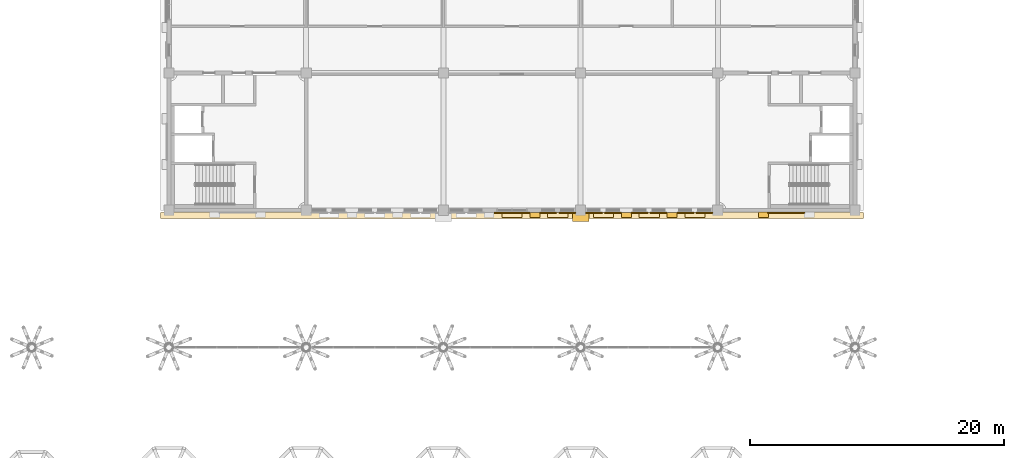
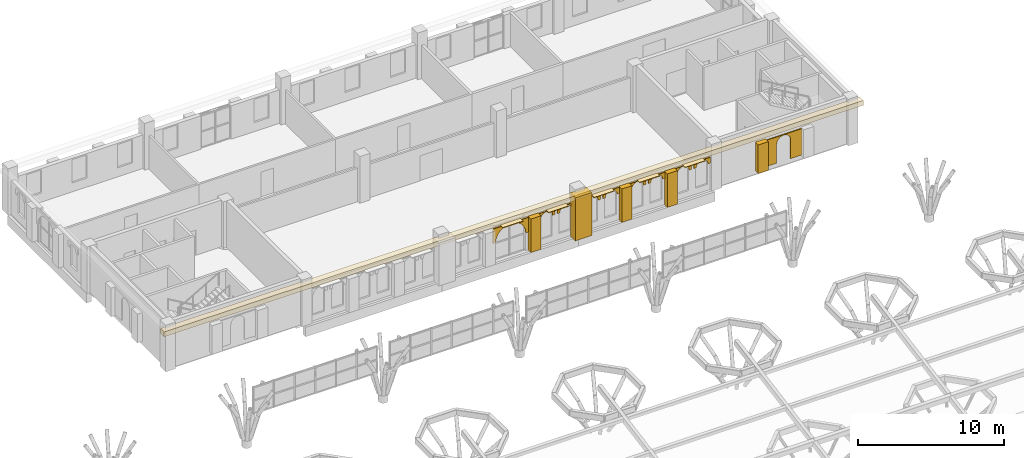
# One storey, part 40 of 42: 21 coverings.
"""IFC4 building model written with IfcOpenShell, lengths in metres."""

from ifc_helpers import new_model, si_unit, direction, frame, origin, origin_2d, place, context, subcontext, project, spatial, polyline, rectangle, outline, extrude, material, layer, layer_set, type_object, element, save


model = new_model("IFC4")

# Units and contexts
model_context = context("Model", 3, precision=1e-05, world=origin(), true_north=direction((0.0, 1.0)))
body_context = subcontext(model_context, "Body", "Model", "MODEL_VIEW")
ifc_project = project(units=[si_unit("LENGTHUNIT", "METRE"), si_unit("AREAUNIT", "SQUARE_METRE"), si_unit("VOLUMEUNIT", "CUBIC_METRE"), si_unit("PLANEANGLEUNIT", "RADIAN"), si_unit("MASSUNIT", "GRAM", prefix="KILO")], contexts=[model_context])

# Site, building, storey
site_placement = place(None, origin())
site = spatial("IfcSite", under=ifc_project, at=site_placement, CompositionType="ELEMENT")
building_placement = place(site_placement, origin())
building = spatial("IfcBuilding", under=site, at=building_placement, Name="Magnolia Steps Interchange", CompositionType="ELEMENT")
storey_placement = place(building_placement, frame((0.0, 0.0, 12.60009765625)))
storey = spatial("IfcBuildingStorey", under=building, at=storey_placement, Name="L03", CompositionType="ELEMENT", Elevation=12.60009765625)

# Coverings
ifc_material_1 = material(Name="Lime render")
ifc_layer_1 = layer(ifc_material_1, 0.080078125)
ifc_layer_set_1 = layer_set([ifc_layer_1], Name="Lime render arch infill")
covering_type_1 = type_object("IfcCoveringType", Name="Lime render arch infill", PredefinedType="CLADDING", material=ifc_layer_set_1)
covering_1_placement = place(storey_placement, frame((89.60009765625, 96.237548828125, 1.52978515625), z_axis=(0.0, 1.0, 0.0), x_axis=(0.0, 0.0, 1.0)))
element("IfcCovering", 1, at=covering_1_placement, inside=storey, type_object=covering_type_1, Name="Arched head over opening g2", PredefinedType="CLADDING", context=body_context, shape_type="SweptSolid", body=[
    extrude(outline(polyline([(0.0, 0.0), (1.220214844, 0.0), (1.220214844, 2.799804688), (0.0, 2.799804688), (0.0, 2.599853516), (0.267089844, 2.569824219), (0.520751953, 2.481201172), (0.748291016, 2.338134766), (0.938232422, 2.148193359), (1.081298828, 1.920654297), (1.169921875, 1.666992188), (1.200195312, 1.399902344), (1.169921875, 1.1328125), (1.081298828, 0.879150391), (0.938232422, 0.651611328), (0.748291016, 0.461669922), (0.520751953, 0.318603516), (0.267089844, 0.229980469), (0.0, 0.199951172), (0.0, 0.0)])), origin(), (0.0, 0.0, -1.0), 0.080078125),
])
for number, where, z_axis, x_axis, name in (
    (2, (93.199951171875, 96.237548828125, 2.2548828125), (0.0, 1.0, 0.0), (0.0, 0.0, 1.0), "Arched head over opening W00165"),
    (3, (94.699951171875, 96.237548828125, 2.2548828125), (0.0, 1.0, 0.0), (0.0, 0.0, 1.0), "Arched head over opening W00315"),
):
    element("IfcCovering", number, at=place(storey_placement, frame(where, z_axis=z_axis, x_axis=x_axis)), inside=storey, type_object=covering_type_1, Name=name, PredefinedType="CLADDING", context=body_context, shape_type="SweptSolid", body=[
        extrude(outline(polyline([(0.0, 0.0), (0.495117188, 0.0), (0.495117188, 1.300048828), (0.0, 1.300048828), (0.0, 1.125), (0.105712891, 1.113037109), (0.206054688, 1.078125), (0.296142578, 1.021484375), (0.371337891, 0.946289062), (0.427978516, 0.856201172), (0.463134766, 0.755859375), (0.475097656, 0.650146484), (0.463134766, 0.544433594), (0.427978516, 0.443847656), (0.371337891, 0.353759766), (0.296142578, 0.278564453), (0.206054688, 0.222167969), (0.105712891, 0.187011719), (0.0, 0.175048828), (0.0, 0.0)])), origin(), (0.0, 0.0, -1.0), 0.080078125),
    ])
for number, where, z_axis, x_axis, name in (
    (4, (96.800048828125, 96.237548828125, 2.2548828125), (0.0, 1.0, 0.0), (0.0, 0.0, 1.0), "Arched head over opening W00525"),
    (5, (98.300048828125, 96.237548828125, 2.2548828125), (0.0, 1.0, 0.0), (0.0, 0.0, 1.0), "Arched head over opening W00675"),
):
    element("IfcCovering", number, at=place(storey_placement, frame(where, z_axis=z_axis, x_axis=x_axis)), inside=storey, type_object=covering_type_1, Name=name, PredefinedType="CLADDING", context=body_context, shape_type="SweptSolid", body=[
        extrude(outline(polyline([(0.0, 0.0), (0.495117188, 0.0), (0.495117188, 1.300048828), (0.0, 1.300048828), (0.0, 1.125), (0.105712891, 1.113037109), (0.206054688, 1.077880859), (0.296142578, 1.021240234), (0.371337891, 0.946044922), (0.427978516, 0.855957031), (0.463134766, 0.755615234), (0.475097656, 0.649902344), (0.463134766, 0.544189453), (0.427978516, 0.443847656), (0.371337891, 0.353759766), (0.296142578, 0.278564453), (0.206054688, 0.221923828), (0.105712891, 0.186767578), (0.0, 0.175048828), (0.0, 0.0)])), origin(), (0.0, 0.0, -1.0), 0.080078125),
    ])
for number, where, z_axis, x_axis, name in (
    (6, (100.39990234375, 96.237548828125, 2.2548828125), (0.0, 1.0, 0.0), (0.0, 0.0, 1.0), "Arched head over opening W00885"),
    (7, (101.89990234375, 96.237548828125, 2.2548828125), (0.0, 1.0, 0.0), (0.0, 0.0, 1.0), "Arched head over opening W01035"),
):
    element("IfcCovering", number, at=place(storey_placement, frame(where, z_axis=z_axis, x_axis=x_axis)), inside=storey, type_object=covering_type_1, Name=name, PredefinedType="CLADDING", context=body_context, shape_type="SweptSolid", body=[
        extrude(outline(polyline([(0.0, 0.0), (0.495117188, 0.0), (0.495117188, 1.300048828), (0.0, 1.300048828), (0.0, 1.125), (0.105712891, 1.11328125), (0.206054688, 1.078125), (0.296142578, 1.021484375), (0.371337891, 0.946289062), (0.427978516, 0.856201172), (0.463134766, 0.755859375), (0.475097656, 0.650146484), (0.463134766, 0.544433594), (0.427978516, 0.444091797), (0.371337891, 0.354003906), (0.296142578, 0.278808594), (0.206054688, 0.222167969), (0.105712891, 0.187011719), (0.0, 0.175048828), (0.0, 0.0)])), origin(), (0.0, 0.0, -1.0), 0.080078125),
    ])
for number, where, z_axis, x_axis, name in (
    (8, (104.0, 96.237548828125, 2.2548828125), (0.0, 1.0, 0.0), (0.0, 0.0, 1.0), "Arched head over opening W01245"),
    (9, (105.5, 96.237548828125, 2.2548828125), (0.0, 1.0, 0.0), (0.0, 0.0, 1.0), "Arched head over opening W01395"),
):
    element("IfcCovering", number, at=place(storey_placement, frame(where, z_axis=z_axis, x_axis=x_axis)), inside=storey, type_object=covering_type_1, Name=name, PredefinedType="CLADDING", context=body_context, shape_type="SweptSolid", body=[
        extrude(outline(polyline([(0.0, 0.0), (0.495117188, 0.0), (0.495117188, 1.300048828), (0.0, 1.300048828), (0.0, 1.125), (0.105712891, 1.113037109), (0.206054688, 1.077880859), (0.296142578, 1.021484375), (0.371337891, 0.946289062), (0.427978516, 0.856201172), (0.463134766, 0.755615234), (0.475097656, 0.649902344), (0.463134766, 0.544189453), (0.427978516, 0.443847656), (0.371337891, 0.353759766), (0.296142578, 0.278564453), (0.206054688, 0.221923828), (0.105712891, 0.187011719), (0.0, 0.175048828), (0.0, 0.0)])), origin(), (0.0, 0.0, -1.0), 0.080078125),
    ])
covering_2_placement = place(storey_placement, frame((111.14990234375, 96.25, 0.39990234375), z_axis=(0.0, 1.0, 0.0), x_axis=(0.0, 0.0, 1.0)))
element("IfcCovering", 10, at=covering_2_placement, inside=storey, type_object=covering_type_1, Name="Arched niche OC-E L03 S", PredefinedType="CLADDING", context=body_context, shape_type="SweptSolid", body=[
    extrude(outline(polyline([(0.0, 0.0), (2.199951172, 0.0), (2.199951172, 2.900146484), (0.0, 2.900146484), (0.0, 2.0), (1.600097656, 2.0), (1.742431641, 1.981445312), (1.875, 1.926513672), (1.989013672, 1.839111328), (2.076416016, 1.725097656), (2.131347656, 1.592529297), (2.149902344, 1.450195312), (2.131347656, 1.307617188), (2.076416016, 1.175048828), (1.989013672, 1.061279297), (1.875, 0.973876953), (1.742431641, 0.918701172), (1.600097656, 0.900146484), (0.0, 0.900146484), (0.0, 0.0)])), origin(), (0.0, 0.0, -1.0), 0.080078125),
])
ifc_material_2 = material(Name="Lime render")
ifc_layer_2 = layer(ifc_material_2, 0.1201171875)
ifc_layer_set_2 = layer_set([ifc_layer_2], Name="Lime render band")
covering_type_2 = type_object("IfcCoveringType", Name="Lime render band", PredefinedType="CLADDING", material=ifc_layer_set_2)
covering_3_placement = place(storey_placement, frame((91.0, 95.987548828125, 3.199951171875), z_axis=(0.0, 0.0, 1.0), x_axis=(1.0, 0.0, 0.0)))
element("IfcCovering", 11, at=covering_3_placement, inside=storey, type_object=covering_type_2, Name="String course L03 S", PredefinedType="CLADDING", context=body_context, shape_type="SweptSolid", body=[
    extrude(rectangle(XDim=55.324951171875, YDim=0.5, at=origin_2d()), origin(), (0.0, 0.0, 1.0), 0.39990234375),
])
ifc_material_3 = material(Name="Lime render")
ifc_layer_3 = layer(ifc_material_3, 0.39990234375)
ifc_layer_set_3 = layer_set([ifc_layer_3], Name="Lime render pilaster")
covering_type_3 = type_object("IfcCoveringType", Name="Lime render pilaster", PredefinedType="CLADDING", material=ifc_layer_set_3)
for number, where, z_axis, x_axis, name in (
    (12, (92.800048828125, 96.03759765625, 0.0), (0.0, 0.0, 1.0), (1.0, 0.0, 0.0), "Pilaster L03 S 4"),
    (13, (100.0, 96.03759765625, 0.0), (0.0, 0.0, 1.0), (1.0, 0.0, 0.0), "Pilaster L03 S 5"),
    (14, (103.60009765625, 96.03759765625, 0.0), (0.0, 0.0, 1.0), (1.0, 0.0, 0.0), "Pilaster L03 S 6"),
):
    element("IfcCovering", number, at=place(storey_placement, frame(where, z_axis=z_axis, x_axis=x_axis)), inside=storey, type_object=covering_type_3, Name=name, PredefinedType="CLADDING", context=body_context, shape_type="SweptSolid", body=[
        extrude(rectangle(XDim=0.800048828125, YDim=0.39990234375, at=origin_2d()), origin(), (0.0, 0.0, 1.0), 2.800048828125),
    ])
covering_4_placement = place(storey_placement, frame((110.800048828125, 96.050048828125, 0.300048828125), z_axis=(0.0, 0.0, 1.0), x_axis=(1.0, 0.0, 0.0)))
element("IfcCovering", 15, at=covering_4_placement, inside=storey, type_object=covering_type_3, Name="Core pilaster OC-E L03 S 1", PredefinedType="CLADDING", context=body_context, shape_type="SweptSolid", body=[
    extrude(rectangle(XDim=0.800048828125, YDim=0.39990234375, at=origin_2d()), origin(), (0.0, 0.0, 1.0), 2.39990234375),
])
covering_5_placement = place(storey_placement, frame((96.39990234375, 95.875, -0.000244140625), z_axis=(0.0, 0.0, 1.0), x_axis=(1.0, 0.0, 0.0)))
element("IfcCovering", 16, at=covering_5_placement, inside=storey, type_object=covering_type_3, Name="Giant pilaster L03 2", PredefinedType="CLADDING", context=body_context, shape_type="SweptSolid", body=[
    extrude(rectangle(XDim=1.300048828125, YDim=0.699951171875, at=origin_2d()), origin(), (0.0, 0.0, 1.0), 3.60009765625),
])
ifc_material_4 = material(Name="Timber", Category="wood")
ifc_layer_4 = layer(ifc_material_4, 0.050048828125)
ifc_layer_set_4 = layer_set([ifc_layer_4], Name="Timber sunshade louvre")
covering_type_4 = type_object("IfcCoveringType", Name="Timber sunshade louvre", PredefinedType="CLADDING", material=ifc_layer_set_4)
for number, where, z_axis, x_axis, name in (
    (17, (91.0, 96.02490234375, 2.82470703125), (0.0, 0.0, 1.0), (1.0, 0.0, 0.0), "Sunshade louvre L03 5"),
    (18, (94.60009765625, 96.02490234375, 2.82470703125), (0.0, 0.0, 1.0), (1.0, 0.0, 0.0), "Sunshade louvre L03 6"),
    (19, (98.199951171875, 96.02490234375, 2.82470703125), (0.0, 0.0, 1.0), (1.0, 0.0, 0.0), "Sunshade louvre L03 7"),
    (20, (101.800048828125, 96.02490234375, 2.82470703125), (0.0, 0.0, 1.0), (1.0, 0.0, 0.0), "Sunshade louvre L03 8"),
    (21, (105.39990234375, 96.02490234375, 2.82470703125), (0.0, 0.0, 1.0), (1.0, 0.0, 0.0), "Sunshade louvre L03 9"),
):
    element("IfcCovering", number, at=place(storey_placement, frame(where, z_axis=z_axis, x_axis=x_axis)), inside=storey, type_object=covering_type_4, Name=name, PredefinedType="CLADDING", context=body_context, shape_type="SweptSolid", body=[
        extrude(rectangle(XDim=1.60009765625, YDim=0.39990234375, at=origin_2d()), origin(), (0.0, 0.0, 1.0), 0.050048828125),
    ])

save(model, "model.ifc")
